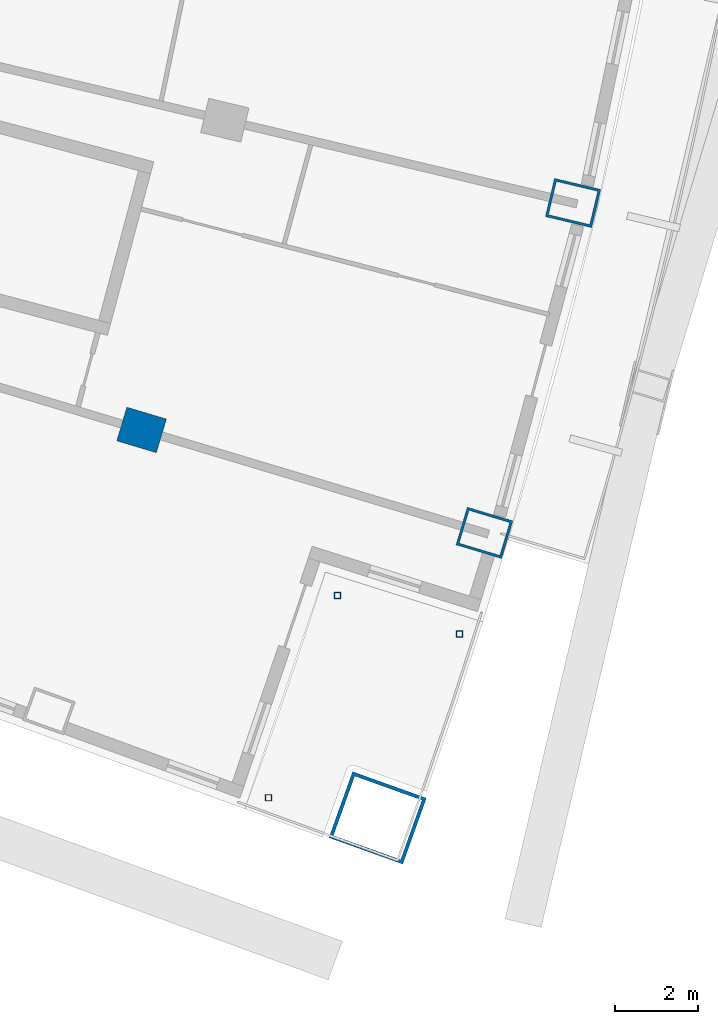
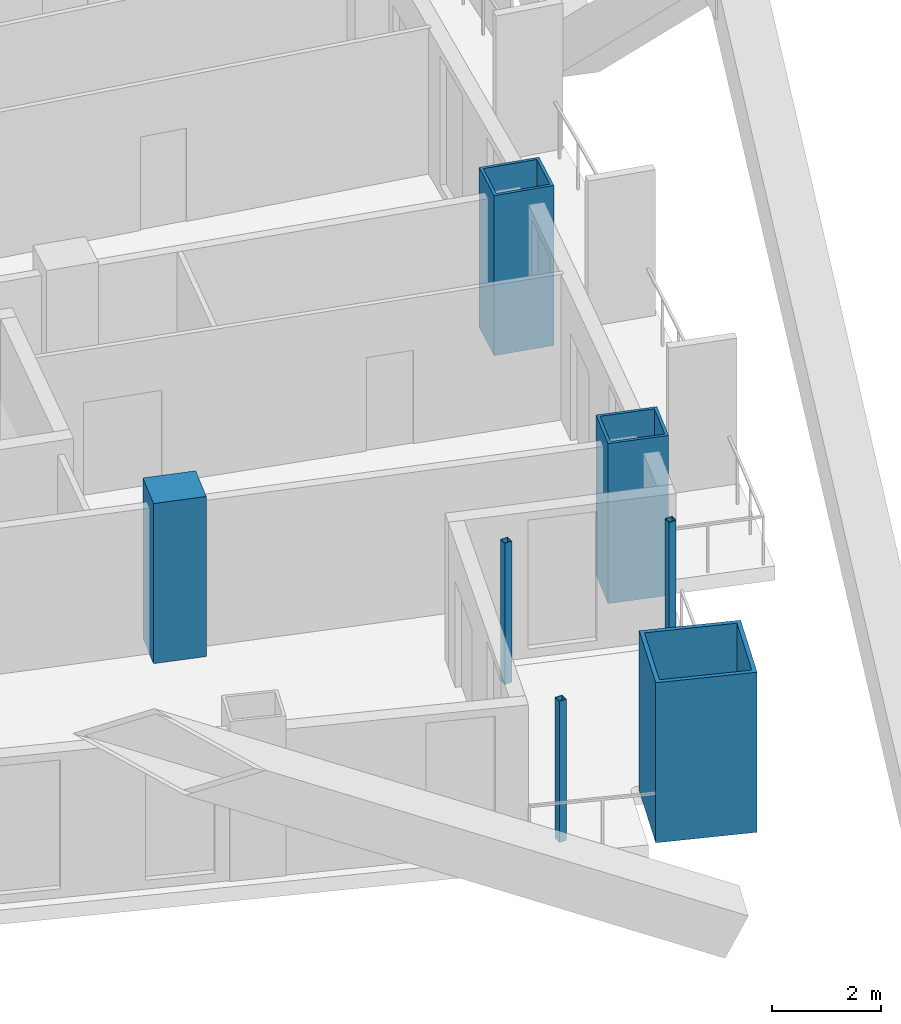
# One storey, part 5 of 26: 7 columns.
"""IFC4 building model written with IfcOpenShell, lengths in metres."""

from ifc_helpers import new_model, si_unit, direction, frame, origin, origin_2d, place, context, subcontext, project, spatial, rectangle, hollow_rectangle, extrude, material, material_profile, profile_set, type_object, element, save


model = new_model("IFC4")

# Units and contexts
model_context = context("Model", 3, precision=1e-05, world=origin(), true_north=direction((0.0, 1.0)))
body_context = subcontext(model_context, "Body", "Model", "MODEL_VIEW")
ifc_project = project(units=[si_unit("LENGTHUNIT", "METRE"), si_unit("AREAUNIT", "SQUARE_METRE"), si_unit("VOLUMEUNIT", "CUBIC_METRE"), si_unit("PLANEANGLEUNIT", "RADIAN"), si_unit("MASSUNIT", "GRAM", prefix="KILO")], contexts=[model_context])

# Site, building, storey
site_placement = place(None, origin())
site = spatial("IfcSite", under=ifc_project, at=site_placement, CompositionType="ELEMENT")
building_placement = place(site_placement, origin())
building = spatial("IfcBuilding", under=site, at=building_placement, Name="Alderwake Tower", CompositionType="ELEMENT")
storey_placement = place(building_placement, frame((0.0, 0.0, 82.39990234375)))
storey = spatial("IfcBuildingStorey", under=building, at=storey_placement, Name="L19", CompositionType="ELEMENT", Elevation=82.39990234375)

# Columns
ifc_material_1 = material(Name="Concrete C70/85", Category="concrete")
ifc_material_profile_1 = material_profile(ifc_material_1, rectangle(XDim=0.85009765625, YDim=1.0, at=origin_2d()), Name="RC 1000X850")
ifc_profile_set_1 = profile_set([ifc_material_profile_1], Name="Concrete C70/85")
column_type_1 = type_object("IfcColumnType", Name="Interior column Z2", PredefinedType="COLUMN", material=ifc_profile_set_1)
column_1_placement = place(storey_placement, frame((47.510498046875, 22.7177734375, 0.0), z_axis=(0.0, 0.0, 1.0), x_axis=(0.287549418125, 0.957765802342, 0.0)))
element("IfcColumn", 1, at=column_1_placement, inside=storey, type_object=column_type_1, Name="Column R02-C4", PredefinedType="COLUMN", context=body_context, shape_type="SweptSolid", body=[
    extrude(rectangle(XDim=0.85009765625, YDim=1.0, at=origin_2d()), origin(), (0.0, 0.0, 1.0), 3.60009765625),
])
ifc_material_2 = material(Name="Steel ASTM A500 Grade C", Category="steel")
ifc_material_profile_2 = material_profile(ifc_material_2, hollow_rectangle(XDim=0.15234375, YDim=0.15234375, WallThickness=0.0087890625, at=origin_2d()), Name="HSS6X6X3/8")
ifc_profile_set_2 = profile_set([ifc_material_profile_2], Name="Steel ASTM A500 Grade C")
column_type_2 = type_object("IfcColumnType", Name="Light post HSS6X6X3/8", PredefinedType="COLUMN", material=ifc_profile_set_2)
for number, where, z_axis, x_axis, name in (
    (2, (55.208740234375, 17.775390625, 0.0), (0.0, 0.0, 1.0), (1.0, 0.0, 0.0), "Terrace post FS1"),
    (3, (50.58544921875, 13.8115234375, 0.0), (0.0, 0.0, 1.0), (1.0, 0.0, 0.0), "Terrace post FS2"),
    (4, (52.253173828125, 18.7099609375, 0.0), (0.0, 0.0, 1.0), (1.0, 0.0, 0.0), "Terrace post FS3"),
):
    element("IfcColumn", number, at=place(storey_placement, frame(where, z_axis=z_axis, x_axis=x_axis)), inside=storey, type_object=column_type_2, Name=name, PredefinedType="COLUMN", context=body_context, shape_type="SweptSolid", body=[
        extrude(hollow_rectangle(XDim=0.15234375, YDim=0.15234375, WallThickness=0.0087890625, at=origin_2d()), origin(), (0.0, 0.0, 1.0), 3.18017578125),
    ])
ifc_material_3 = material(Name="Steel ASTM A572 Grade 50 concrete filled C70/85", Category="concrete")
ifc_material_profile_3 = material_profile(ifc_material_3, hollow_rectangle(XDim=1.699951171875, YDim=1.89990234375, WallThickness=0.0849609375, at=origin_2d()), Name="BOX 1900X1700X85")
ifc_profile_set_3 = profile_set([ifc_material_profile_3], Name="Steel ASTM A572 Grade 50 concrete filled C70/85")
column_type_3 = type_object("IfcColumnType", Name="Mega column Z2", PredefinedType="COLUMN", material=ifc_profile_set_3)
column_2_placement = place(storey_placement, frame((53.2265625, 13.32470703125, 0.0), z_axis=(0.0, 0.0, 1.0), x_axis=(0.336929292402, 0.941529952748, 0.0)))
element("IfcColumn", 5, at=column_2_placement, inside=storey, type_object=column_type_3, Name="Column R01-C5", PredefinedType="COLUMN", context=body_context, shape_type="SweptSolid", body=[
    extrude(hollow_rectangle(XDim=1.699951171875, YDim=1.89990234375, WallThickness=0.0849609375, at=origin_2d()), origin(), (0.0, 0.0, 1.0), 3.60009765625),
])
ifc_material_4 = material(Name="Steel ASTM A572 Grade 50 concrete filled C70/85", Category="concrete")
ifc_material_profile_4 = material_profile(ifc_material_4, hollow_rectangle(XDim=0.949951171875, YDim=1.14990234375, WallThickness=0.06005859375, at=origin_2d()), Name="BOX 1150X950X60")
ifc_profile_set_4 = profile_set([ifc_material_profile_4], Name="Steel ASTM A572 Grade 50 concrete filled C70/85")
column_type_4 = type_object("IfcColumnType", Name="Perimeter column Z2", PredefinedType="COLUMN", material=ifc_profile_set_4)
for number, where, z_axis, x_axis, name in (
    (6, (55.811279296875, 20.2255859375, 0.0), (0.0, 0.0, 1.0), (0.287549418125, 0.957765802342, 0.0), "Column R02-C5"),
    (7, (57.95751953125, 28.212646484375, 0.0), (0.0, 0.0, 1.0), (0.231221547198, 0.972901123502, 0.0), "Column R03-C5"),
):
    element("IfcColumn", number, at=place(storey_placement, frame(where, z_axis=z_axis, x_axis=x_axis)), inside=storey, type_object=column_type_4, Name=name, PredefinedType="COLUMN", context=body_context, shape_type="SweptSolid", body=[
        extrude(hollow_rectangle(XDim=0.949951171875, YDim=1.14990234375, WallThickness=0.06005859375, at=origin_2d()), origin(), (0.0, 0.0, 1.0), 3.60009765625),
    ])

save(model, "model.ifc")
